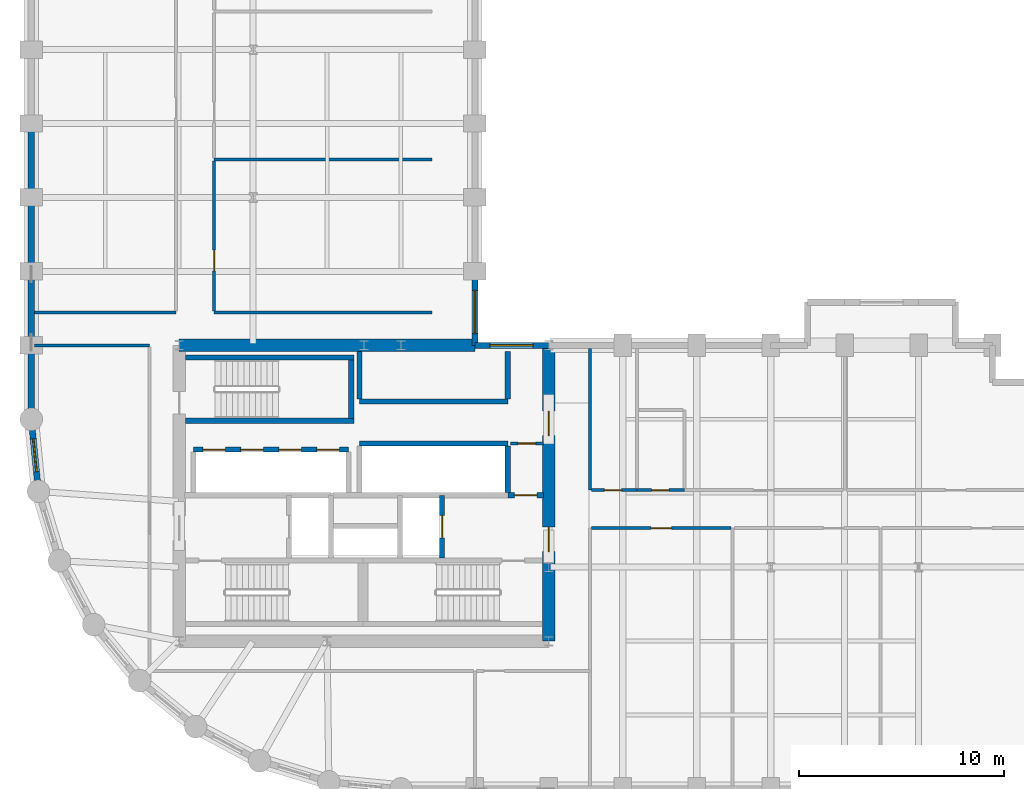
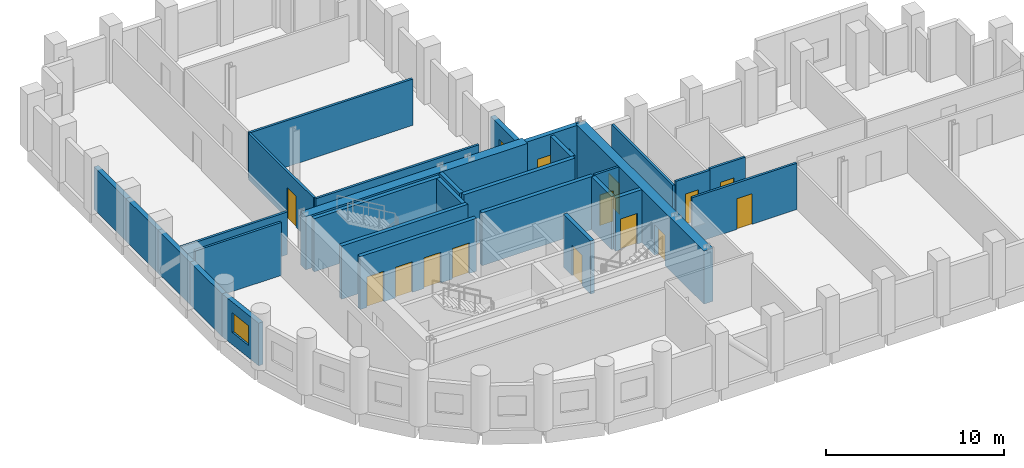
# One storey, part 4 of 8: 30 walls, 13 doors, 3 windows, 16 openings.
"""IFC4 building model written with IfcOpenShell, lengths in metres."""

from ifc_helpers import new_model, si_unit, direction, frame, frame_2d, origin, place, context, subcontext, project, spatial, rectangle, extrude, material, layer, layer_set, type_object, element, fill, save


model = new_model("IFC4")

# Units and contexts
model_context = context("Model", 3, precision=1e-05, world=origin(), true_north=direction((0.0, 1.0)))
body_context = subcontext(model_context, "Body", "Model", "MODEL_VIEW")
ifc_project = project(units=[si_unit("LENGTHUNIT", "METRE"), si_unit("AREAUNIT", "SQUARE_METRE"), si_unit("VOLUMEUNIT", "CUBIC_METRE"), si_unit("PLANEANGLEUNIT", "RADIAN"), si_unit("MASSUNIT", "GRAM", prefix="KILO")], contexts=[model_context])

# Site, building, storey
site_placement = place(None, origin())
site = spatial("IfcSite", under=ifc_project, at=site_placement, CompositionType="ELEMENT")
building_placement = place(site_placement, origin())
building = spatial("IfcBuilding", under=site, at=building_placement, Name="Solnavia Interchange Tower", CompositionType="ELEMENT")
storey_placement = place(building_placement, frame((0.0, 0.0, 107.39990234375)))
storey = spatial("IfcBuildingStorey", under=building, at=storey_placement, Name="L26", CompositionType="ELEMENT", Elevation=107.39990234375)

# Wall, opening, window
ifc_material_1 = material(Name="Concrete C40/50", Category="concrete")
ifc_layer_1 = layer(ifc_material_1, 0.300048828125)
ifc_layer_set_1 = layer_set([ifc_layer_1], Name="Concrete C40/50")
wall_type_1 = type_object("IfcWallType", Name="Wall-ExtSpandrel-300", PredefinedType="STANDARD", material=ifc_layer_set_1)
wall_1_placement = place(storey_placement, frame((28.800048828125, 25.199951171875, 0.0), z_axis=(0.0, 0.0, 1.0), x_axis=(1.0, 0.0, 0.0)))
wall_1 = element("IfcWall", 1, at=wall_1_placement, inside=storey, type_object=wall_type_1, Name="EXW-L26-31 Exterior precast spandrel wall", PredefinedType="STANDARD", context=body_context, shape_type="SweptSolid", body=[
    extrude(rectangle(XDim=3.599853515625, YDim=0.300048828125, at=frame_2d((1.7998046875, 0.0))), origin(), (0.0, 0.0, 1.0), 3.635009765625),
])
opening_1_placement = place(wall_1_placement, frame((0.72802734375, 0.0, 0.85009765625)))
opening_1 = element("IfcOpeningElement", 2, at=opening_1_placement, cuts=wall_1, Name="Opening WIN-01", PredefinedType="OPENING", context=body_context, shape_type="SweptSolid", body=[
    extrude(rectangle(XDim=2.10009765625, YDim=1.35009765625, at=frame_2d((1.050048828125, 0.675048828125))), frame((0.0, 0.16015625, 0.0), z_axis=(0.0, -1.0, 0.0), x_axis=(1.0, 0.0, 0.0)), (0.0, 0.0, 1.0), 0.320068359375),
])
ifc_material_2 = material(Name="Thermal-Break Aluminium & Low-E Glass", Category="aluminium")
window_type_1 = type_object("IfcWindowType", Name="Window-Ribbon-2100x1350", PartitioningType="SINGLE_PANEL", PredefinedType="WINDOW", material=ifc_material_2)
window_1_placement = place(opening_1_placement, origin())
window_1 = element("IfcWindow", 3, at=window_1_placement, inside=storey, type_object=window_type_1, Name="WIN-L26-31 Facade ribbon window", OverallHeight=1.35009765625, OverallWidth=2.10009765625, PartitioningType="SINGLE_PANEL", PredefinedType="WINDOW", context=body_context, shape_type="SweptSolid", body=[
    extrude(rectangle(XDim=2.10009765625, YDim=1.35009765625, at=frame_2d((1.050048828125, 0.675048828125))), frame((0.0, 0.030029296875, 0.0), z_axis=(0.0, -1.0, 0.0), x_axis=(1.0, 0.0, 0.0)), (0.0, 0.0, 1.0), 0.06005859375),
])
fill(opening_1, window_1)

wall_2_placement = place(storey_placement, frame((28.800048828125, 25.199951171875, 0.0), z_axis=(0.0, 0.0, 1.0), x_axis=(0.0, 1.0, 0.0)))
wall_2 = element("IfcWall", 4, at=wall_2_placement, inside=storey, type_object=wall_type_1, Name="EXW-L26-32 Exterior precast spandrel wall", PredefinedType="STANDARD", context=body_context, shape_type="SweptSolid", body=[
    extrude(rectangle(XDim=3.60009765625, YDim=0.300048828125, at=frame_2d((1.800048828125, 0.0))), origin(), (0.0, 0.0, 1.0), 3.190185546875),
])
opening_2_placement = place(wall_2_placement, frame((0.570068359375, 0.0, 0.85009765625)))
opening_2 = element("IfcOpeningElement", 5, at=opening_2_placement, cuts=wall_2, Name="Opening WIN-01", PredefinedType="OPENING", context=body_context, shape_type="SweptSolid", body=[
    extrude(rectangle(XDim=2.10009765625, YDim=1.35009765625, at=frame_2d((1.050048828125, 0.675048828125))), frame((0.0, 0.16015625, 0.0), z_axis=(0.0, -1.0, 0.0), x_axis=(1.0, 0.0, 0.0)), (0.0, 0.0, 1.0), 0.320068359375),
])
window_2_placement = place(opening_2_placement, origin())
window_2 = element("IfcWindow", 6, at=window_2_placement, inside=storey, type_object=window_type_1, Name="WIN-L26-32 Facade ribbon window", OverallHeight=1.35009765625, OverallWidth=2.10009765625, PartitioningType="SINGLE_PANEL", PredefinedType="WINDOW", context=body_context, shape_type="SweptSolid", body=[
    extrude(rectangle(XDim=2.10009765625, YDim=1.35009765625, at=frame_2d((1.050048828125, 0.675048828125))), frame((0.0, 0.030029296875, 0.0), z_axis=(0.0, -1.0, 0.0), x_axis=(1.0, 0.0, 0.0)), (0.0, 0.0, 1.0), 0.06005859375),
])
fill(opening_2, window_2)

# Walls
wall_3_placement = place(storey_placement, frame((7.199951171875, 32.39990234375, 0.0), z_axis=(0.0, 0.0, 1.0), x_axis=(0.0, 1.0, 0.0)))
element("IfcWall", 7, at=wall_3_placement, inside=storey, type_object=wall_type_1, Name="EXW-L26-51 Exterior precast spandrel wall", PredefinedType="STANDARD", context=body_context, shape_type="SweptSolid", body=[
    extrude(rectangle(XDim=3.60009765625, YDim=0.300048828125, at=frame_2d((1.800048828125, 0.0))), origin(), (0.0, 0.0, 1.0), 2.93017578125),
])
wall_4_placement = place(storey_placement, frame((7.199951171875, 28.800048828125, 0.0), z_axis=(0.0, 0.0, 1.0), x_axis=(0.0, 1.0, 0.0)))
element("IfcWall", 8, at=wall_4_placement, inside=storey, type_object=wall_type_1, Name="EXW-L26-52 Exterior precast spandrel wall", PredefinedType="STANDARD", context=body_context, shape_type="SweptSolid", body=[
    extrude(rectangle(XDim=3.599853515625, YDim=0.300048828125, at=frame_2d((1.7998046875, 0.0))), origin(), (0.0, 0.0, 1.0), 2.93017578125),
])
wall_5_placement = place(storey_placement, frame((7.199951171875, 25.199951171875, 0.0), z_axis=(0.0, 0.0, 1.0), x_axis=(0.0, 1.0, 0.0)))
element("IfcWall", 9, at=wall_5_placement, inside=storey, type_object=wall_type_1, Name="EXW-L26-53 Exterior precast spandrel wall", PredefinedType="STANDARD", context=body_context, shape_type="SweptSolid", body=[
    extrude(rectangle(XDim=3.60009765625, YDim=0.300048828125, at=frame_2d((1.800048828125, 0.0))), origin(), (0.0, 0.0, 1.0), 2.93017578125),
])
wall_6_placement = place(storey_placement, frame((7.199951171875, 21.60009765625, 0.0), z_axis=(0.0, 0.0, 1.0), x_axis=(0.0, 1.0, 0.0)))
element("IfcWall", 10, at=wall_6_placement, inside=storey, type_object=wall_type_1, Name="EXW-L26-54 Exterior precast spandrel wall", PredefinedType="STANDARD", context=body_context, shape_type="SweptSolid", body=[
    extrude(rectangle(XDim=3.599853515625, YDim=0.300048828125, at=frame_2d((1.7998046875, 0.0))), origin(), (0.0, 0.0, 1.0), 2.93017578125),
])

# Wall, opening, window
wall_7_placement = place(storey_placement, frame((7.5458984375, 18.087890625, 0.0), z_axis=(0.0, 0.0, 1.0), x_axis=(-0.09802417461, 0.995184033831, 0.0)))
wall_7 = element("IfcWall", 11, at=wall_7_placement, inside=storey, type_object=wall_type_1, Name="EXW-L26-55 Exterior precast spandrel wall", PredefinedType="STANDARD", context=body_context, shape_type="SweptSolid", body=[
    extrude(rectangle(XDim=3.529296875, YDim=0.300048828125, at=frame_2d((1.7646484375, 0.0))), origin(), (0.0, 0.0, 1.0), 2.93017578125),
])
opening_3_placement = place(wall_7_placement, frame((0.965087890625, 0.0, 0.85009765625)))
opening_3 = element("IfcOpeningElement", 12, at=opening_3_placement, cuts=wall_7, Name="Opening WIN-04", PredefinedType="OPENING", context=body_context, shape_type="SweptSolid", body=[
    extrude(rectangle(XDim=1.60009765625, YDim=1.35009765625, at=frame_2d((0.800048828125, 0.675048828125))), frame((0.0, 0.16015625, 0.0), z_axis=(0.0, -1.0, 0.0), x_axis=(1.0, 0.0, 0.0)), (0.0, 0.0, 1.0), 0.320068359375),
])
window_type_2 = type_object("IfcWindowType", Name="Window-Drum-1600x1350", PartitioningType="SINGLE_PANEL", PredefinedType="WINDOW", material=ifc_material_2)
window_3_placement = place(opening_3_placement, origin())
window_3 = element("IfcWindow", 13, at=window_3_placement, inside=storey, type_object=window_type_2, Name="WIN-L26-55 Facade ribbon window", OverallHeight=1.35009765625, OverallWidth=1.60009765625, PartitioningType="SINGLE_PANEL", PredefinedType="WINDOW", context=body_context, shape_type="SweptSolid", body=[
    extrude(rectangle(XDim=1.60009765625, YDim=1.35009765625, at=frame_2d((0.800048828125, 0.675048828125))), frame((0.0, 0.030029296875, 0.0), z_axis=(0.0, -1.0, 0.0), x_axis=(1.0, 0.0, 0.0)), (0.0, 0.0, 1.0), 0.06005859375),
])
fill(opening_3, window_3)

# Wall, opening, door
ifc_material_3 = material(Name="Gypsum Plasterboard & Steel Stud", Category="steel")
ifc_layer_2 = layer(ifc_material_3, 0.14990234375)
ifc_layer_set_2 = layer_set([ifc_layer_2], Name="Gypsum Plasterboard & Steel Stud")
wall_type_2 = type_object("IfcWallType", Name="Wall-Partition-150", PredefinedType="PARTITIONING", material=ifc_layer_set_2)
wall_8_placement = place(storey_placement, frame((30.52001953125, 20.419921875, 0.0), z_axis=(0.0, 0.0, 1.0), x_axis=(1.0, 0.0, 0.0)))
wall_8 = element("IfcWall", 14, at=wall_8_placement, inside=storey, type_object=wall_type_2, Name="CSW-L26-SE-N Core shaft wall", PredefinedType="PARTITIONING", context=body_context, shape_type="SweptSolid", body=[
    extrude(rectangle(XDim=1.6298828125, YDim=0.14990234375, at=frame_2d((0.81494140625, 0.0))), origin(), (0.0, 0.0, 1.0), 3.635009765625),
])
opening_4_placement = place(wall_8_placement, frame((0.3798828125, 0.0, 0.0)))
opening_4 = element("IfcOpeningElement", 15, at=opening_4_placement, cuts=wall_8, Name="Opening DR-10", PredefinedType="OPENING", context=body_context, shape_type="SweptSolid", body=[
    extrude(rectangle(XDim=0.85009765625, YDim=2.10009765625, at=frame_2d((0.425048828125, 1.050048828125))), frame((0.0, 0.0849609375, 0.0), z_axis=(0.0, -1.0, 0.0), x_axis=(1.0, 0.0, 0.0)), (0.0, 0.0, 1.0), 0.169921875),
])
ifc_material_4 = material(Name="Moisture-Resistant Timber Door", Category="wood")
door_type_1 = type_object("IfcDoorType", Name="Door-Bathroom-850x2100", OperationType="SINGLE_SWING_RIGHT", PredefinedType="DOOR", material=ifc_material_4)
door_1_placement = place(opening_4_placement, origin())
door_1 = element("IfcDoor", 16, at=door_1_placement, inside=storey, type_object=door_type_1, Name="DR-L26-CSE1 Core fire door", OperationType="SINGLE_SWING_LEFT", OverallHeight=2.10009765625, OverallWidth=0.85009765625, PredefinedType="DOOR", context=body_context, shape_type="SweptSolid", body=[
    extrude(rectangle(XDim=0.85009765625, YDim=2.10009765625, at=frame_2d((0.425048828125, 1.050048828125))), frame((0.0, 0.02490234375, 0.0), z_axis=(0.0, -1.0, 0.0), x_axis=(1.0, 0.0, 0.0)), (0.0, 0.0, 1.0), 0.050048828125),
])
fill(opening_4, door_1)

# Wall
wall_9_placement = place(storey_placement, frame((7.35400390625, 25.199951171875, 0.0), z_axis=(0.0, 0.0, 1.0), x_axis=(1.0, 0.0, 0.0)))
element("IfcWall", 17, at=wall_9_placement, inside=storey, type_object=wall_type_2, Name="PTW-L26-07 Interior partition wall", PredefinedType="PARTITIONING", context=body_context, shape_type="SweptSolid", body=[
    extrude(rectangle(XDim=5.595947265625, YDim=0.14990234375, at=frame_2d((2.7978515625, 0.0))), origin(), (0.0, 0.0, 1.0), 3.635009765625),
])

# Wall, opening, door
wall_10_placement = place(storey_placement, frame((34.47900390625, 16.300048828125, 0.0), z_axis=(0.0, 0.0, 1.0), x_axis=(1.0, 0.0, 0.0)))
wall_10 = element("IfcWall", 18, at=wall_10_placement, inside=storey, type_object=wall_type_2, Name="PTW-L26-14 Interior partition wall", PredefinedType="PARTITIONING", context=body_context, shape_type="SweptSolid", body=[
    extrude(rectangle(XDim=6.7919921875, YDim=0.14990234375, at=frame_2d((3.39599609375, 0.0))), origin(), (0.0, 0.0, 1.0), 3.18017578125),
])
opening_5_placement = place(wall_10_placement, frame((2.89599609375, 0.0, 0.0)))
opening_5 = element("IfcOpeningElement", 19, at=opening_5_placement, cuts=wall_10, Name="Opening DR-07", PredefinedType="OPENING", context=body_context, shape_type="SweptSolid", body=[
    extrude(rectangle(XDim=1.0, YDim=2.10009765625, at=frame_2d((0.5, 1.050048828125))), frame((0.0, 0.0849609375, 0.0), z_axis=(0.0, -1.0, 0.0), x_axis=(1.0, 0.0, 0.0)), (0.0, 0.0, 1.0), 0.169921875),
])
ifc_material_5 = material(Name="Timber & Acoustic Glazed Office Door", Category="wood")
door_type_2 = type_object("IfcDoorType", Name="Door-Office-1000x2100", OperationType="SINGLE_SWING_RIGHT", PredefinedType="DOOR", material=ifc_material_5)
door_2_placement = place(opening_5_placement, origin())
door_2 = element("IfcDoor", 20, at=door_2_placement, inside=storey, type_object=door_type_2, Name="DR-L26-05 Interior room door", OperationType="SINGLE_SWING_LEFT", OverallHeight=2.10009765625, OverallWidth=1.0, PredefinedType="DOOR", context=body_context, shape_type="SweptSolid", body=[
    extrude(rectangle(XDim=1.0, YDim=2.10009765625, at=frame_2d((0.5, 1.050048828125))), frame((0.0, 0.02490234375, 0.0), z_axis=(0.0, -1.0, 0.0), x_axis=(1.0, 0.0, 0.0)), (0.0, 0.0, 1.0), 0.050048828125),
])
fill(opening_5, door_2)

# Walls
wall_11_placement = place(storey_placement, frame((7.35400390625, 26.800048828125, 0.0), z_axis=(0.0, 0.0, 1.0), x_axis=(1.0, 0.0, 0.0)))
element("IfcWall", 21, at=wall_11_placement, inside=storey, type_object=wall_type_2, Name="PTW-L26-21 Interior partition wall", PredefinedType="PARTITIONING", context=body_context, shape_type="SweptSolid", body=[
    extrude(rectangle(XDim=6.89599609375, YDim=0.14990234375, at=frame_2d((3.447998046875, 0.0))), origin(), (0.0, 0.0, 1.0), 2.93017578125),
])
for number, where, z_axis, x_axis, name in (
    (22, (16.10009765625, 26.800048828125, 0.0), (0.0, 0.0, 1.0), (1.0, 0.0, 0.0), "PTW-L26-23 Interior partition wall"),
    (23, (16.10009765625, 34.25, 0.0), (0.0, 0.0, 1.0), (1.0, 0.0, 0.0), "PTW-L26-24 Interior partition wall"),
):
    element("IfcWall", number, at=place(storey_placement, frame(where, z_axis=z_axis, x_axis=x_axis)), inside=storey, type_object=wall_type_2, Name=name, PredefinedType="PARTITIONING", context=body_context, shape_type="SweptSolid", body=[
        extrude(rectangle(XDim=10.599853515625, YDim=0.14990234375, at=frame_2d((5.2998046875, 0.0))), origin(), (0.0, 0.0, 1.0), 3.18017578125),
    ])

# Wall, opening, door
wall_12_placement = place(storey_placement, frame((16.10009765625, 26.87890625, 0.0), z_axis=(0.0, 0.0, 1.0), x_axis=(0.0, 1.0, 0.0)))
wall_12 = element("IfcWall", 24, at=wall_12_placement, inside=storey, type_object=wall_type_2, Name="PTW-L26-25 Interior partition wall", PredefinedType="PARTITIONING", context=body_context, shape_type="SweptSolid", body=[
    extrude(rectangle(XDim=7.2919921875, YDim=0.14990234375, at=frame_2d((3.64599609375, 0.0))), origin(), (0.0, 0.0, 1.0), 3.190185546875),
])
opening_6_placement = place(wall_12_placement, frame((1.951904296875, 0.0, 0.0)))
opening_6 = element("IfcOpeningElement", 25, at=opening_6_placement, cuts=wall_12, Name="Opening DR-07", PredefinedType="OPENING", context=body_context, shape_type="SweptSolid", body=[
    extrude(rectangle(XDim=1.0, YDim=2.10009765625, at=frame_2d((0.5, 1.050048828125))), frame((0.0, 0.0849609375, 0.0), z_axis=(0.0, -1.0, 0.0), x_axis=(1.0, 0.0, 0.0)), (0.0, 0.0, 1.0), 0.169921875),
])
door_3_placement = place(opening_6_placement, origin())
door_3 = element("IfcDoor", 26, at=door_3_placement, inside=storey, type_object=door_type_2, Name="DR-L26-11 Interior room door", OperationType="SINGLE_SWING_LEFT", OverallHeight=2.10009765625, OverallWidth=1.0, PredefinedType="DOOR", context=body_context, shape_type="SweptSolid", body=[
    extrude(rectangle(XDim=1.0, YDim=2.10009765625, at=frame_2d((0.5, 1.050048828125))), frame((0.0, 0.02490234375, 0.0), z_axis=(0.0, -1.0, 0.0), x_axis=(1.0, 0.0, 0.0)), (0.0, 0.0, 1.0), 0.050048828125),
])
fill(opening_6, door_3)

# Walls
ifc_layer_3 = layer(ifc_material_1, 0.25)
ifc_layer_set_3 = layer_set([ifc_layer_3], Name="Concrete C40/50")
wall_type_3 = type_object("IfcWallType", Name="Wall-ShaftCore-250", PredefinedType="SHEAR", material=ifc_layer_set_3)
for number, where, z_axis, x_axis, name in (
    (27, (14.699951171875, 21.52490234375, 0.0), (0.0, 0.0, 1.0), (1.0, 0.0, 0.0), "SHW-L26-ST3S Core shear wall"),
    (28, (14.699951171875, 24.614990234375, 0.0), (0.0, 0.0, 1.0), (1.0, 0.0, 0.0), "SHW-L26-ST3N Core shear wall"),
):
    element("IfcWall", number, at=place(storey_placement, frame(where, z_axis=z_axis, x_axis=x_axis)), inside=storey, type_object=wall_type_3, Name=name, PredefinedType="SHEAR", context=body_context, shape_type="SweptSolid", body=[
        extrude(rectangle(XDim=8.199951171875, YDim=0.25, at=frame_2d((4.10009765625, 0.0))), origin(), (0.0, 0.0, 1.0), 3.650146484375),
    ])
wall_13_placement = place(storey_placement, frame((22.77490234375, 21.64990234375, 0.0), z_axis=(0.0, 0.0, 1.0), x_axis=(0.0, 1.0, 0.0)))
element("IfcWall", 29, at=wall_13_placement, inside=storey, type_object=wall_type_3, Name="SHW-L26-ST3E Core shear wall", PredefinedType="SHEAR", context=body_context, shape_type="SweptSolid", body=[
    extrude(rectangle(XDim=2.840087890625, YDim=0.25, at=frame_2d((1.419921875, 0.0))), origin(), (0.0, 0.0, 1.0), 3.650146484375),
])

# Wall, opening, door
ifc_layer_4 = layer(ifc_material_1, 0.25)
ifc_layer_set_4 = layer_set([ifc_layer_4], Name="Concrete C40/50")
wall_type_4 = type_object("IfcWallType", Name="Wall-ShaftPart-250", PredefinedType="PARTITIONING", material=ifc_layer_set_4)
wall_14_placement = place(storey_placement, frame((30.39990234375, 17.89990234375, 0.0), z_axis=(0.0, 0.0, 1.0), x_axis=(1.0, 0.0, 0.0)))
wall_14 = element("IfcWall", 30, at=wall_14_placement, inside=storey, type_object=wall_type_4, Name="SHW-L26-FFLE-N2 Core shaft wall", PredefinedType="PARTITIONING", context=body_context, shape_type="SweptSolid", body=[
    extrude(rectangle(XDim=1.75, YDim=0.25, at=frame_2d((0.875, 0.0))), origin(), (0.0, 0.0, 1.0), 3.635009765625),
])
opening_7_placement = place(wall_14_placement, frame((0.320068359375, 0.0, 0.0)))
opening_7 = element("IfcOpeningElement", 31, at=opening_7_placement, cuts=wall_14, Name="Opening DR-01", PredefinedType="OPENING", context=body_context, shape_type="SweptSolid", body=[
    extrude(rectangle(XDim=1.10009765625, YDim=2.10009765625, at=frame_2d((0.550048828125, 1.050048828125))), frame((0.0, 0.135009765625, 0.0), z_axis=(0.0, -1.0, 0.0), x_axis=(1.0, 0.0, 0.0)), (0.0, 0.0, 1.0), 0.27001953125),
])
ifc_material_6 = material(Name="Steel Fire-Rated Leaf & Frame", Category="steel")
door_type_3 = type_object("IfcDoorType", Name="Door-StairFire-1100x2100", OperationType="SINGLE_SWING_LEFT", PredefinedType="DOOR", material=ifc_material_6)
door_4_placement = place(opening_7_placement, origin())
door_4 = element("IfcDoor", 32, at=door_4_placement, inside=storey, type_object=door_type_3, Name="DR-L26-LLC Core fire door", OperationType="SINGLE_SWING_LEFT", OverallHeight=2.10009765625, OverallWidth=1.10009765625, PredefinedType="DOOR", context=body_context, shape_type="SweptSolid", body=[
    extrude(rectangle(XDim=1.10009765625, YDim=2.10009765625, at=frame_2d((0.550048828125, 1.050048828125))), frame((0.0, 0.02490234375, 0.0), z_axis=(0.0, -1.0, 0.0), x_axis=(1.0, 0.0, 0.0)), (0.0, 0.0, 1.0), 0.050048828125),
])
fill(opening_7, door_4)

wall_15_placement = place(storey_placement, frame((27.199951171875, 14.840087890625, 0.0), z_axis=(0.0, 0.0, 1.0), x_axis=(0.0, 1.0, 0.0)))
wall_15 = element("IfcWall", 33, at=wall_15_placement, inside=storey, type_object=wall_type_4, Name="SHW-L26-FFL2-E Core shaft wall", PredefinedType="PARTITIONING", context=body_context, shape_type="SweptSolid", body=[
    extrude(rectangle(XDim=3.059814453125, YDim=0.25, at=frame_2d((1.52978515625, 0.0))), origin(), (0.0, 0.0, 1.0), 3.635009765625),
])
opening_8_placement = place(wall_15_placement, frame((0.97998046875, 0.0, 0.0)))
opening_8 = element("IfcOpeningElement", 34, at=opening_8_placement, cuts=wall_15, Name="Opening LD-01", PredefinedType="OPENING", context=body_context, shape_type="SweptSolid", body=[
    extrude(rectangle(XDim=1.10009765625, YDim=2.10009765625, at=frame_2d((0.550048828125, 1.050048828125))), frame((0.0, 0.135009765625, 0.0), z_axis=(0.0, -1.0, 0.0), x_axis=(1.0, 0.0, 0.0)), (0.0, 0.0, 1.0), 0.27001953125),
])
ifc_material_7 = material(Name="Brushed Stainless Steel Sliding Door", Category="steel")
door_type_4 = type_object("IfcDoorType", Name="Door-LiftLanding-1100x2100", OperationType="SLIDING_TO_LEFT", PredefinedType="DOOR", material=ifc_material_7)
door_5_placement = place(opening_8_placement, origin())
door_5 = element("IfcDoor", 35, at=door_5_placement, inside=storey, type_object=door_type_4, Name="LD-L26-FFL2 Lift landing sliding door", OperationType="SLIDING_TO_LEFT", OverallHeight=2.10009765625, OverallWidth=1.10009765625, PredefinedType="DOOR", context=body_context, shape_type="SweptSolid", body=[
    extrude(rectangle(XDim=1.10009765625, YDim=2.10009765625, at=frame_2d((0.550048828125, 1.050048828125))), frame((0.0, 0.02490234375, 0.0), z_axis=(0.0, -1.0, 0.0), x_axis=(1.0, 0.0, 0.0)), (0.0, 0.0, 1.0), 0.050048828125),
])
fill(opening_8, door_5)

# Wall, openings, doors
wall_16_placement = place(storey_placement, frame((15.10009765625, 20.125, 0.0), z_axis=(0.0, 0.0, 1.0), x_axis=(1.0, 0.0, 0.0)))
wall_16 = element("IfcWall", 36, at=wall_16_placement, inside=storey, type_object=wall_type_4, Name="SHW-L26-B1N Core shaft wall", PredefinedType="PARTITIONING", context=body_context, shape_type="SweptSolid", body=[
    extrude(rectangle(XDim=7.5498046875, YDim=0.25, at=frame_2d((3.77490234375, 0.0))), origin(), (0.0, 0.0, 1.0), 3.635009765625),
])
opening_9_placement = place(wall_16_placement, frame((0.449951171875, 0.0, 0.0)))
opening_9 = element("IfcOpeningElement", 37, at=opening_9_placement, cuts=wall_16, Name="Opening LD-01", PredefinedType="OPENING", context=body_context, shape_type="SweptSolid", body=[
    extrude(rectangle(XDim=1.10009765625, YDim=2.10009765625, at=frame_2d((0.550048828125, 1.050048828125))), frame((0.0, 0.135009765625, 0.0), z_axis=(0.0, -1.0, 0.0), x_axis=(1.0, 0.0, 0.0)), (0.0, 0.0, 1.0), 0.27001953125),
])
opening_10_placement = place(wall_16_placement, frame((2.300048828125, 0.0, 0.0)))
opening_10 = element("IfcOpeningElement", 38, at=opening_10_placement, cuts=wall_16, Name="Opening LD-01", PredefinedType="OPENING", context=body_context, shape_type="SweptSolid", body=[
    extrude(rectangle(XDim=1.10009765625, YDim=2.10009765625, at=frame_2d((0.550048828125, 1.050048828125))), frame((0.0, 0.135009765625, 0.0), z_axis=(0.0, -1.0, 0.0), x_axis=(1.0, 0.0, 0.0)), (0.0, 0.0, 1.0), 0.27001953125),
])
opening_11_placement = place(wall_16_placement, frame((4.14990234375, 0.0, 0.0)))
opening_11 = element("IfcOpeningElement", 39, at=opening_11_placement, cuts=wall_16, Name="Opening LD-01", PredefinedType="OPENING", context=body_context, shape_type="SweptSolid", body=[
    extrude(rectangle(XDim=1.10009765625, YDim=2.10009765625, at=frame_2d((0.550048828125, 1.050048828125))), frame((0.0, 0.135009765625, 0.0), z_axis=(0.0, -1.0, 0.0), x_axis=(1.0, 0.0, 0.0)), (0.0, 0.0, 1.0), 0.27001953125),
])
opening_12_placement = place(wall_16_placement, frame((6.0, 0.0, 0.0)))
opening_12 = element("IfcOpeningElement", 40, at=opening_12_placement, cuts=wall_16, Name="Opening LD-01", PredefinedType="OPENING", context=body_context, shape_type="SweptSolid", body=[
    extrude(rectangle(XDim=1.10009765625, YDim=2.10009765625, at=frame_2d((0.550048828125, 1.050048828125))), frame((0.0, 0.135009765625, 0.0), z_axis=(0.0, -1.0, 0.0), x_axis=(1.0, 0.0, 0.0)), (0.0, 0.0, 1.0), 0.27001953125),
])
door_6_placement = place(opening_9_placement, origin())
door_6 = element("IfcDoor", 41, at=door_6_placement, inside=storey, type_object=door_type_4, Name="LD-L26-B1-1 Lift landing sliding door", OperationType="SLIDING_TO_LEFT", OverallHeight=2.10009765625, OverallWidth=1.10009765625, PredefinedType="DOOR", context=body_context, shape_type="SweptSolid", body=[
    extrude(rectangle(XDim=1.10009765625, YDim=2.10009765625, at=frame_2d((0.550048828125, 1.050048828125))), frame((0.0, 0.02490234375, 0.0), z_axis=(0.0, -1.0, 0.0), x_axis=(1.0, 0.0, 0.0)), (0.0, 0.0, 1.0), 0.050048828125),
])
fill(opening_9, door_6)
door_7_placement = place(opening_10_placement, origin())
door_7 = element("IfcDoor", 42, at=door_7_placement, inside=storey, type_object=door_type_4, Name="LD-L26-B1-2 Lift landing sliding door", OperationType="SLIDING_TO_LEFT", OverallHeight=2.10009765625, OverallWidth=1.10009765625, PredefinedType="DOOR", context=body_context, shape_type="SweptSolid", body=[
    extrude(rectangle(XDim=1.10009765625, YDim=2.10009765625, at=frame_2d((0.550048828125, 1.050048828125))), frame((0.0, 0.02490234375, 0.0), z_axis=(0.0, -1.0, 0.0), x_axis=(1.0, 0.0, 0.0)), (0.0, 0.0, 1.0), 0.050048828125),
])
fill(opening_10, door_7)
door_8_placement = place(opening_11_placement, origin())
door_8 = element("IfcDoor", 43, at=door_8_placement, inside=storey, type_object=door_type_4, Name="LD-L26-B1-3 Lift landing sliding door", OperationType="SLIDING_TO_LEFT", OverallHeight=2.10009765625, OverallWidth=1.10009765625, PredefinedType="DOOR", context=body_context, shape_type="SweptSolid", body=[
    extrude(rectangle(XDim=1.10009765625, YDim=2.10009765625, at=frame_2d((0.550048828125, 1.050048828125))), frame((0.0, 0.02490234375, 0.0), z_axis=(0.0, -1.0, 0.0), x_axis=(1.0, 0.0, 0.0)), (0.0, 0.0, 1.0), 0.050048828125),
])
fill(opening_11, door_8)
door_9_placement = place(opening_12_placement, origin())
door_9 = element("IfcDoor", 44, at=door_9_placement, inside=storey, type_object=door_type_4, Name="LD-L26-B1-4 Lift landing sliding door", OperationType="SLIDING_TO_LEFT", OverallHeight=2.10009765625, OverallWidth=1.10009765625, PredefinedType="DOOR", context=body_context, shape_type="SweptSolid", body=[
    extrude(rectangle(XDim=1.10009765625, YDim=2.10009765625, at=frame_2d((0.550048828125, 1.050048828125))), frame((0.0, 0.02490234375, 0.0), z_axis=(0.0, -1.0, 0.0), x_axis=(1.0, 0.0, 0.0)), (0.0, 0.0, 1.0), 0.050048828125),
])
fill(opening_12, door_9)

# Walls
wall_17_placement = place(storey_placement, frame((23.179931640625, 20.419921875, 0.0), z_axis=(0.0, 0.0, 1.0), x_axis=(1.0, 0.0, 0.0)))
element("IfcWall", 45, at=wall_17_placement, inside=storey, type_object=wall_type_4, Name="SHW-L26-B2N Core shaft wall", PredefinedType="PARTITIONING", context=body_context, shape_type="SweptSolid", body=[
    extrude(rectangle(XDim=7.219970703125, YDim=0.25, at=frame_2d((3.60986328125, 0.0))), origin(), (0.0, 0.0, 1.0), 3.635009765625),
])
wall_18_placement = place(storey_placement, frame((30.39990234375, 18.02490234375, 0.0), z_axis=(0.0, 0.0, 1.0), x_axis=(0.0, 1.0, 0.0)))
element("IfcWall", 46, at=wall_18_placement, inside=storey, type_object=wall_type_4, Name="SHW-L26-B2E Core shaft wall", PredefinedType="PARTITIONING", context=body_context, shape_type="SweptSolid", body=[
    extrude(rectangle(XDim=2.27001953125, YDim=0.25, at=frame_2d((1.135009765625, 0.0))), origin(), (0.0, 0.0, 1.0), 3.635009765625),
])
wall_19_placement = place(storey_placement, frame((23.179931640625, 22.4599609375, 0.0), z_axis=(0.0, 0.0, 1.0), x_axis=(1.0, 0.0, 0.0)))
element("IfcWall", 47, at=wall_19_placement, inside=storey, type_object=wall_type_4, Name="SHW-L26-B3S Core shaft wall", PredefinedType="PARTITIONING", context=body_context, shape_type="SweptSolid", body=[
    extrude(rectangle(XDim=7.219970703125, YDim=0.25, at=frame_2d((3.60986328125, 0.0))), origin(), (0.0, 0.0, 1.0), 3.635009765625),
])
for number, where, z_axis, x_axis, name in (
    (48, (23.179931640625, 22.5849609375, 0.0), (0.0, 0.0, 1.0), (0.0, 1.0, 0.0), "SHW-L26-B3W Core shaft wall"),
    (49, (30.39990234375, 22.5849609375, 0.0), (0.0, 0.0, 1.0), (0.0, 1.0, 0.0), "SHW-L26-B3E Core shaft wall"),
):
    element("IfcWall", number, at=place(storey_placement, frame(where, z_axis=z_axis, x_axis=x_axis)), inside=storey, type_object=wall_type_4, Name=name, PredefinedType="PARTITIONING", context=body_context, shape_type="SweptSolid", body=[
        extrude(rectangle(XDim=2.31494140625, YDim=0.25, at=frame_2d((1.157470703125, 0.0))), origin(), (0.0, 0.0, 1.0), 3.635009765625),
    ])
ifc_material_8 = material(Name="Concrete C60/75", Category="concrete")
ifc_layer_5 = layer(ifc_material_8, 0.60009765625)
ifc_layer_set_5 = layer_set([ifc_layer_5], Name="Concrete C60/75")
wall_type_5 = type_object("IfcWallType", Name="Wall-ShearCore-600", PredefinedType="SHEAR", material=ifc_layer_set_5)
wall_20_placement = place(storey_placement, frame((14.39990234375, 25.199951171875, 0.0), z_axis=(0.0, 0.0, 1.0), x_axis=(1.0, 0.0, 0.0)))
element("IfcWall", 50, at=wall_20_placement, inside=storey, type_object=wall_type_5, Name="CRW-L26-N Core shear wall", PredefinedType="SHEAR", context=body_context, shape_type="SweptSolid", body=[
    extrude(rectangle(XDim=14.400146484375, YDim=0.60009765625, at=frame_2d((7.2001953125, 0.0))), origin(), (0.0, 0.0, 1.0), 3.650146484375),
])

# Wall, openings, doors
wall_21_placement = place(storey_placement, frame((32.39990234375, 10.800048828125, 0.0), z_axis=(0.0, 0.0, 1.0), x_axis=(0.0, 1.0, 0.0)))
wall_21 = element("IfcWall", 51, at=wall_21_placement, inside=storey, type_object=wall_type_5, Name="CRW-L26-E Core shear wall", PredefinedType="SHEAR", context=body_context, shape_type="SweptSolid", body=[
    extrude(rectangle(XDim=14.39990234375, YDim=0.60009765625, at=frame_2d((7.199951171875, 0.0))), origin(), (0.0, 0.0, 1.0), 3.650146484375),
])
opening_13_placement = place(wall_21_placement, frame((4.35009765625, 0.0, 0.0)))
opening_13 = element("IfcOpeningElement", 52, at=opening_13_placement, cuts=wall_21, Name="Opening DR-02", PredefinedType="OPENING", context=body_context, shape_type="SweptSolid", body=[
    extrude(rectangle(XDim=1.199951171875, YDim=2.10009765625, at=frame_2d((0.60009765625, 1.050048828125))), frame((0.0, 0.31005859375, 0.0), z_axis=(0.0, -1.0, 0.0), x_axis=(1.0, 0.0, 0.0)), (0.0, 0.0, 1.0), 0.6201171875),
])
opening_14_placement = place(wall_21_placement, frame((10.0, 0.0, 0.0)))
opening_14 = element("IfcOpeningElement", 53, at=opening_14_placement, cuts=wall_21, Name="Opening DR-02", PredefinedType="OPENING", context=body_context, shape_type="SweptSolid", body=[
    extrude(rectangle(XDim=1.199951171875, YDim=2.10009765625, at=frame_2d((0.60009765625, 1.050048828125))), frame((0.0, 0.31005859375, 0.0), z_axis=(0.0, -1.0, 0.0), x_axis=(1.0, 0.0, 0.0)), (0.0, 0.0, 1.0), 0.6201171875),
])
ifc_material_9 = material(Name="Steel Fire-Rated Vision-Panel Door", Category="steel")
door_type_5 = type_object("IfcDoorType", Name="Door-LobbyFire-1200x2100", OperationType="SINGLE_SWING_RIGHT", PredefinedType="DOOR", material=ifc_material_9)
door_10_placement = place(opening_13_placement, origin())
door_10 = element("IfcDoor", 54, at=door_10_placement, inside=storey, type_object=door_type_5, Name="DR-L26-FFL2E Core fire door", OperationType="SINGLE_SWING_LEFT", OverallHeight=2.10009765625, OverallWidth=1.199951171875, PredefinedType="DOOR", context=body_context, shape_type="SweptSolid", body=[
    extrude(rectangle(XDim=1.199951171875, YDim=2.10009765625, at=frame_2d((0.60009765625, 1.050048828125))), frame((0.0, 0.02490234375, 0.0), z_axis=(0.0, -1.0, 0.0), x_axis=(1.0, 0.0, 0.0)), (0.0, 0.0, 1.0), 0.050048828125),
])
fill(opening_13, door_10)
door_11_placement = place(opening_14_placement, origin())
door_11 = element("IfcDoor", 55, at=door_11_placement, inside=storey, type_object=door_type_5, Name="DR-L26-LLE Core fire door", OperationType="SINGLE_SWING_RIGHT", OverallHeight=2.10009765625, OverallWidth=1.199951171875, PredefinedType="DOOR", context=body_context, shape_type="SweptSolid", body=[
    extrude(rectangle(XDim=1.199951171875, YDim=2.10009765625, at=frame_2d((0.60009765625, 1.050048828125))), frame((0.0, 0.02490234375, 0.0), z_axis=(0.0, -1.0, 0.0), x_axis=(1.0, 0.0, 0.0)), (0.0, 0.0, 1.0), 0.050048828125),
])
fill(opening_14, door_11)

# Wall
ifc_material_10 = material(Name="Moisture-Resistant Gypsum & Steel Stud", Category="steel")
ifc_layer_6 = layer(ifc_material_10, 0.14990234375)
ifc_layer_set_6 = layer_set([ifc_layer_6], Name="Moisture-Resistant Gypsum & Steel Stud")
wall_type_6 = type_object("IfcWallType", Name="Wall-WetRoom-150", PredefinedType="PARTITIONING", material=ifc_layer_set_6)
wall_22_placement = place(storey_placement, frame((34.39990234375, 18.14990234375, 0.0), z_axis=(0.0, 0.0, 1.0), x_axis=(0.0, 1.0, 0.0)))
element("IfcWall", 56, at=wall_22_placement, inside=storey, type_object=wall_type_6, Name="PTW-L26-01 Interior partition wall", PredefinedType="PARTITIONING", context=body_context, shape_type="SweptSolid", body=[
    extrude(rectangle(XDim=6.89599609375, YDim=0.14990234375, at=frame_2d((3.447998046875, 0.0))), origin(), (0.0, 0.0, 1.0), 2.93017578125),
])

# Wall, opening, door
wall_23_placement = place(storey_placement, frame((34.47900390625, 18.14990234375, 0.0), z_axis=(0.0, 0.0, 1.0), x_axis=(1.0, 0.0, 0.0)))
wall_23 = element("IfcWall", 57, at=wall_23_placement, inside=storey, type_object=wall_type_6, Name="PTW-L26-02 Interior partition wall", PredefinedType="PARTITIONING", context=body_context, shape_type="SweptSolid", body=[
    extrude(rectangle(XDim=2.220947265625, YDim=0.14990234375, at=frame_2d((1.1103515625, 0.0))), origin(), (0.0, 0.0, 1.0), 3.18017578125),
])
opening_15_placement = place(wall_23_placement, frame((0.617919921875, 0.0, 0.0)))
opening_15 = element("IfcOpeningElement", 58, at=opening_15_placement, cuts=wall_23, Name="Opening DR-10", PredefinedType="OPENING", context=body_context, shape_type="SweptSolid", body=[
    extrude(rectangle(XDim=0.85009765625, YDim=2.10009765625, at=frame_2d((0.425048828125, 1.050048828125))), frame((0.0, 0.0849609375, 0.0), z_axis=(0.0, -1.0, 0.0), x_axis=(1.0, 0.0, 0.0)), (0.0, 0.0, 1.0), 0.169921875),
])
door_12_placement = place(opening_15_placement, origin())
door_12 = element("IfcDoor", 59, at=door_12_placement, inside=storey, type_object=door_type_1, Name="DR-L26-01 Interior room door", OperationType="SINGLE_SWING_LEFT", OverallHeight=2.10009765625, OverallWidth=0.85009765625, PredefinedType="DOOR", context=body_context, shape_type="SweptSolid", body=[
    extrude(rectangle(XDim=0.85009765625, YDim=2.10009765625, at=frame_2d((0.425048828125, 1.050048828125))), frame((0.0, 0.02490234375, 0.0), z_axis=(0.0, -1.0, 0.0), x_axis=(1.0, 0.0, 0.0)), (0.0, 0.0, 1.0), 0.050048828125),
])
fill(opening_15, door_12)

wall_24_placement = place(storey_placement, frame((36.699951171875, 18.14990234375, 0.0), z_axis=(0.0, 0.0, 1.0), x_axis=(1.0, 0.0, 0.0)))
wall_24 = element("IfcWall", 60, at=wall_24_placement, inside=storey, type_object=wall_type_6, Name="PTW-L26-04 Interior partition wall", PredefinedType="PARTITIONING", context=body_context, shape_type="SweptSolid", body=[
    extrude(rectangle(XDim=2.300048828125, YDim=0.14990234375, at=frame_2d((1.14990234375, 0.0))), origin(), (0.0, 0.0, 1.0), 3.27001953125),
])
opening_16_placement = place(wall_24_placement, frame((0.697021484375, 0.0, 0.0)))
opening_16 = element("IfcOpeningElement", 61, at=opening_16_placement, cuts=wall_24, Name="Opening DR-10", PredefinedType="OPENING", context=body_context, shape_type="SweptSolid", body=[
    extrude(rectangle(XDim=0.85009765625, YDim=2.10009765625, at=frame_2d((0.425048828125, 1.050048828125))), frame((0.0, 0.0849609375, 0.0), z_axis=(0.0, -1.0, 0.0), x_axis=(1.0, 0.0, 0.0)), (0.0, 0.0, 1.0), 0.169921875),
])
door_13_placement = place(opening_16_placement, origin())
door_13 = element("IfcDoor", 62, at=door_13_placement, inside=storey, type_object=door_type_1, Name="DR-L26-02 Interior room door", OperationType="SINGLE_SWING_RIGHT", OverallHeight=2.10009765625, OverallWidth=0.85009765625, PredefinedType="DOOR", context=body_context, shape_type="SweptSolid", body=[
    extrude(rectangle(XDim=0.85009765625, YDim=2.10009765625, at=frame_2d((0.425048828125, 1.050048828125))), frame((0.0, 0.02490234375, 0.0), z_axis=(0.0, -1.0, 0.0), x_axis=(1.0, 0.0, 0.0)), (0.0, 0.0, 1.0), 0.050048828125),
])
fill(opening_16, door_13)

save(model, "model.ifc")
